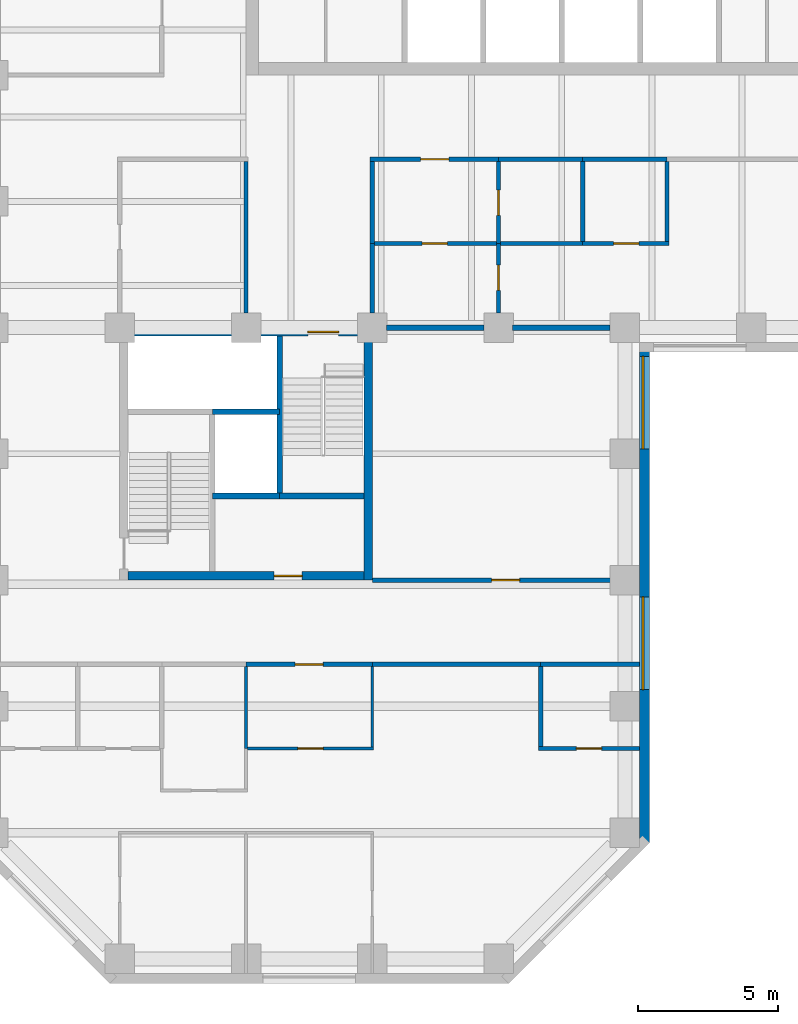
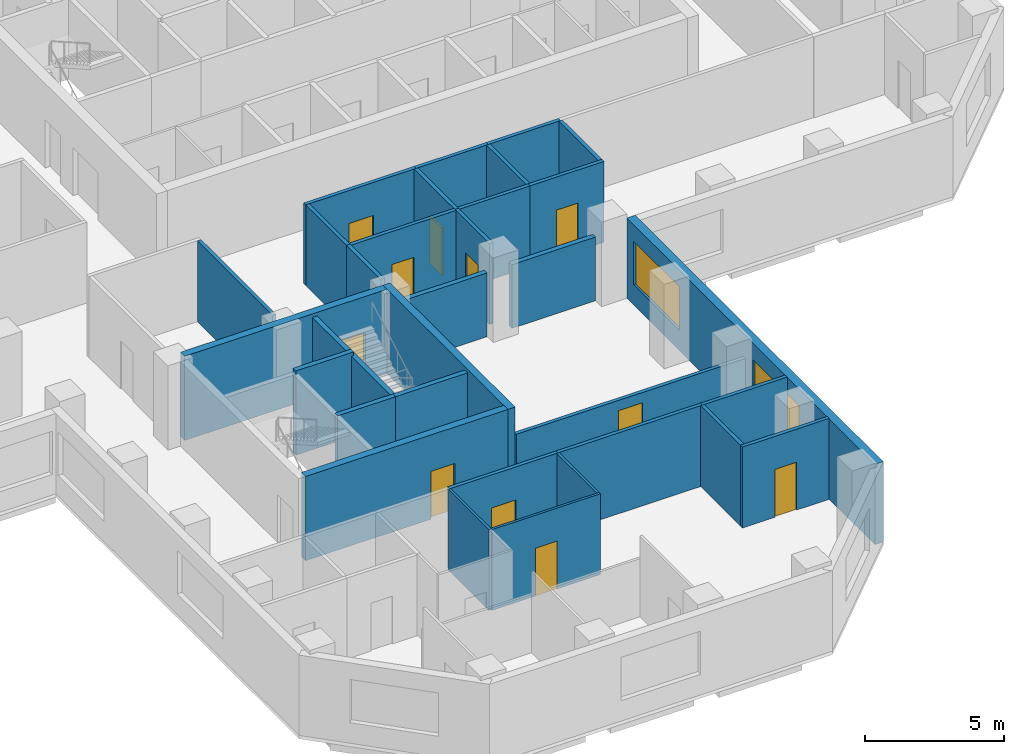
# One storey, part 4 of 10: 32 walls, 11 doors, 2 windows, 13 openings.
"""IFC4 building model written with IfcOpenShell, lengths in metres."""

from ifc_helpers import new_model, si_unit, direction, frame, frame_2d, origin, place, context, subcontext, project, spatial, rectangle, extrude, material, layer, layer_set, constituent, constituent_set, type_object, element, fill, save


model = new_model("IFC4")

# Units and contexts
model_context = context("Model", 3, precision=1e-05, world=origin(), true_north=direction((0.0, 1.0)))
body_context = subcontext(model_context, "Body", "Model", "MODEL_VIEW")
ifc_project = project(units=[si_unit("LENGTHUNIT", "METRE"), si_unit("AREAUNIT", "SQUARE_METRE"), si_unit("VOLUMEUNIT", "CUBIC_METRE"), si_unit("PLANEANGLEUNIT", "RADIAN"), si_unit("MASSUNIT", "GRAM", prefix="KILO")], contexts=[model_context])

# Site, building, storey
site_placement = place(None, origin())
site = spatial("IfcSite", under=ifc_project, at=site_placement, CompositionType="ELEMENT")
building_placement = place(site_placement, origin())
building = spatial("IfcBuilding", under=site, at=building_placement, Name="Quoin Convention Tower", CompositionType="ELEMENT")
storey_placement = place(building_placement, frame((0.0, 0.0, 90.0)))
storey = spatial("IfcBuildingStorey", under=building, at=storey_placement, Name="L23", CompositionType="ELEMENT", Elevation=90.0)

# Wall, opening, door
ifc_material_1 = material(Name="Plasterboard")
ifc_layer_1 = layer(ifc_material_1, 0.012451171875, Name="Finish")
ifc_material_2 = material(Name="Steel stud framing", Category="steel")
ifc_layer_2 = layer(ifc_material_2, 0.125, Name="Structure")
ifc_layer_3 = layer(ifc_material_1, 0.012451171875, Name="Finish")
ifc_layer_set_1 = layer_set([ifc_layer_1, ifc_layer_2, ifc_layer_3], Name="Steel stud framing")
wall_type_1 = type_object("IfcWallType", Name="Acoustic partition 150", PredefinedType="PARTITIONING", material=ifc_layer_set_1)
wall_1_placement = place(storey_placement, frame((49.574951171875, 43.5, 0.0), z_axis=(0.0, 0.0, 1.0), x_axis=(1.0, 0.0, 0.0)))
wall_1 = element("IfcWall", 1, at=wall_1_placement, inside=storey, type_object=wall_type_1, Name="pw-L23-017", PredefinedType="PARTITIONING", context=body_context, shape_type="SweptSolid", body=[
    extrude(rectangle(XDim=4.35009765625, YDim=0.14990234375, at=frame_2d((2.175048828125, 0.0))), origin(), (0.0, 0.0, 1.0), 3.550048828125),
])
opening_1_placement = place(wall_1_placement, frame((1.699951171875, 0.0, 0.0)))
opening_1 = element("IfcOpeningElement", 2, at=opening_1_placement, cuts=wall_1, Name="Opening DOL2-08", PredefinedType="OPENING", context=body_context, shape_type="SweptSolid", body=[
    extrude(rectangle(XDim=0.89990234375, YDim=2.10009765625, at=frame_2d((0.449951171875, 1.050048828125))), frame((0.0, 0.0849609375, 0.0), z_axis=(0.0, -1.0, 0.0), x_axis=(1.0, 0.0, 0.0)), (0.0, 0.0, 1.0), 0.169921875),
])
ifc_material_3 = material(Name="Steel door leaf", Category="steel")
door_type_1 = type_object("IfcDoorType", Name="Office door 900 x 2100", OperationType="SINGLE_SWING_RIGHT", PredefinedType="DOOR", material=ifc_material_3)
door_1_placement = place(opening_1_placement, frame((0.89990234375, 0.0, 0.0), z_axis=(0.0, 0.0, 1.0), x_axis=(-1.0, 0.0, 0.0)))
door_1 = element("IfcDoor", 3, at=door_1_placement, inside=storey, type_object=door_type_1, Name="dr-L23-22", OperationType="SINGLE_SWING_LEFT", OverallHeight=2.10009765625, OverallWidth=0.89990234375, PredefinedType="DOOR", context=body_context, shape_type="SweptSolid", body=[
    extrude(rectangle(XDim=0.89990234375, YDim=2.10009765625, at=frame_2d((0.449951171875, 1.050048828125))), frame((0.0, 0.02490234375, 0.0), z_axis=(0.0, -1.0, 0.0), x_axis=(1.0, 0.0, 0.0)), (0.0, 0.0, 1.0), 0.050048828125),
])
fill(opening_1, door_1)

wall_2_placement = place(storey_placement, frame((54.0, 41.02490234375, 0.0), z_axis=(0.0, 0.0, 1.0), x_axis=(0.0, 1.0, 0.0)))
wall_2 = element("IfcWall", 4, at=wall_2_placement, inside=storey, type_object=wall_type_1, Name="pw-L23-071", PredefinedType="PARTITIONING", context=body_context, shape_type="SweptSolid", body=[
    extrude(rectangle(XDim=2.47509765625, YDim=0.14990234375, at=frame_2d((1.237548828125, 0.0))), origin(), (0.0, 0.0, 1.0), 3.550048828125),
])
opening_2_placement = place(wall_2_placement, frame((0.800048828125, 0.0, 0.0)))
opening_2 = element("IfcOpeningElement", 5, at=opening_2_placement, cuts=wall_2, Name="Opening DOL2-22", PredefinedType="OPENING", context=body_context, shape_type="SweptSolid", body=[
    extrude(rectangle(XDim=0.89990234375, YDim=2.10009765625, at=frame_2d((0.449951171875, 1.050048828125))), frame((0.0, 0.0849609375, 0.0), z_axis=(0.0, -1.0, 0.0), x_axis=(1.0, 0.0, 0.0)), (0.0, 0.0, 1.0), 0.169921875),
])
door_2_placement = place(opening_2_placement, frame((0.89990234375, 0.0, 0.0), z_axis=(0.0, 0.0, 1.0), x_axis=(-1.0, 0.0, 0.0)))
door_2 = element("IfcDoor", 6, at=door_2_placement, inside=storey, type_object=door_type_1, Name="dr-L23-24", OperationType="SINGLE_SWING_LEFT", OverallHeight=2.10009765625, OverallWidth=0.89990234375, PredefinedType="DOOR", context=body_context, shape_type="SweptSolid", body=[
    extrude(rectangle(XDim=0.89990234375, YDim=2.10009765625, at=frame_2d((0.449951171875, 1.050048828125))), frame((0.0, 0.02490234375, 0.0), z_axis=(0.0, -1.0, 0.0), x_axis=(1.0, 0.0, 0.0)), (0.0, 0.0, 1.0), 0.050048828125),
])
fill(opening_2, door_2)

# Wall, openings, windows
ifc_material_4 = material(Name="Brick masonry", Category="masonry")
ifc_layer_4 = layer(ifc_material_4, 0.35009765625)
ifc_layer_set_2 = layer_set([ifc_layer_4], Name="Brick masonry")
wall_type_2 = type_object("IfcWallType", Name="Brick facade wall", PredefinedType="STANDARD", material=ifc_layer_set_2)
wall_3_placement = place(storey_placement, frame((59.199951171875, 22.1376953125, 0.0), z_axis=(0.0, 0.0, 1.0), x_axis=(0.0, 1.0, 0.0)))
wall_3 = element("IfcWall", 7, at=wall_3_placement, inside=storey, type_object=wall_type_2, Name="fw-L23-58500_22500", PredefinedType="STANDARD", context=body_context, shape_type="SweptSolid", body=[
    extrude(rectangle(XDim=17.83740234375, YDim=0.35009765625, at=frame_2d((8.918701171875, 0.0))), origin(), (0.0, 0.0, 1.0), 3.52490234375),
])
opening_3_placement = place(wall_3_placement, frame((5.46240234375, 0.0, 0.89990234375)))
opening_3 = element("IfcOpeningElement", 8, at=opening_3_placement, cuts=wall_3, Name="Opening W-02", PredefinedType="OPENING", context=body_context, shape_type="SweptSolid", body=[
    extrude(rectangle(XDim=3.300048828125, YDim=1.89990234375, at=frame_2d((1.64990234375, 0.949951171875))), frame((0.0, 0.18505859375, 0.0), z_axis=(0.0, -1.0, 0.0), x_axis=(1.0, 0.0, 0.0)), (0.0, 0.0, 1.0), 0.3701171875),
])
opening_4_placement = place(wall_3_placement, frame((14.037353515625, 0.0, 0.89990234375)))
opening_4 = element("IfcOpeningElement", 9, at=opening_4_placement, cuts=wall_3, Name="Opening W-02", PredefinedType="OPENING", context=body_context, shape_type="SweptSolid", body=[
    extrude(rectangle(XDim=3.300048828125, YDim=1.89990234375, at=frame_2d((1.64990234375, 0.949951171875))), frame((0.0, 0.18505859375, 0.0), z_axis=(0.0, -1.0, 0.0), x_axis=(1.0, 0.0, 0.0)), (0.0, 0.0, 1.0), 0.3701171875),
])
ifc_material_5 = material(Name="Aluminium", Category="aluminium")
ifc_constituent_1 = constituent(ifc_material_5, Name="Frame")
ifc_material_6 = material(Name="Insulated glass", Category="glass")
ifc_constituent_2 = constituent(ifc_material_6, Name="Glazing")
ifc_constituent_set = constituent_set(constituents=[ifc_constituent_1, ifc_constituent_2], Name="Aluminium")
window_type = type_object("IfcWindowType", Name="Office window", PartitioningType="DOUBLE_PANEL_VERTICAL", PredefinedType="WINDOW", material=ifc_constituent_set)
window_1_placement = place(opening_3_placement, origin())
window_1 = element("IfcWindow", 10, at=window_1_placement, inside=storey, type_object=window_type, Name="win-L23-59200_29250", OverallHeight=1.89990234375, OverallWidth=3.300048828125, PartitioningType="SINGLE_PANEL", PredefinedType="WINDOW", context=body_context, shape_type="SweptSolid", body=[
    extrude(rectangle(XDim=3.300048828125, YDim=1.89990234375, at=frame_2d((1.64990234375, 0.949951171875))), frame((0.0, 0.0849609375, 0.0), z_axis=(0.0, -1.0, 0.0), x_axis=(1.0, 0.0, 0.0)), (0.0, 0.0, 1.0), 0.06005859375),
])
fill(opening_3, window_1)
window_2_placement = place(opening_4_placement, origin())
window_2 = element("IfcWindow", 11, at=window_2_placement, inside=storey, type_object=window_type, Name="win-L23-59200_38250", OverallHeight=1.89990234375, OverallWidth=3.300048828125, PartitioningType="SINGLE_PANEL", PredefinedType="WINDOW", context=body_context, shape_type="SweptSolid", body=[
    extrude(rectangle(XDim=3.300048828125, YDim=1.89990234375, at=frame_2d((1.64990234375, 0.949951171875))), frame((0.0, 0.0849609375, 0.0), z_axis=(0.0, -1.0, 0.0), x_axis=(1.0, 0.0, 0.0)), (0.0, 0.0, 1.0), 0.06005859375),
])
fill(opening_4, window_2)

# Walls
ifc_material_7 = material(Name="Concrete C50", Category="concrete")
ifc_layer_5 = layer(ifc_material_7, 0.199951171875)
ifc_layer_set_3 = layer_set([ifc_layer_5], Name="Concrete C50")
wall_type_3 = type_object("IfcWallType", Name="Core shaft wall", PredefinedType="SOLIDWALL", material=ifc_layer_set_3)
wall_4_placement = place(storey_placement, frame((43.800048828125, 34.5, 0.0), z_axis=(0.0, 0.0, 1.0), x_axis=(1.0, 0.0, 0.0)))
element("IfcWall", 12, at=wall_4_placement, inside=storey, type_object=wall_type_3, Name="cr-P3-L23-h3000_3300", PredefinedType="SOLIDWALL", context=body_context, shape_type="SweptSolid", body=[
    extrude(rectangle(XDim=2.39990234375, YDim=0.199951171875, at=frame_2d((1.199951171875, 0.0))), origin(), (0.0, 0.0, 1.0), 3.550048828125),
])
wall_5_placement = place(storey_placement, frame((46.199951171875, 34.5, 0.0), z_axis=(0.0, 0.0, 1.0), x_axis=(1.0, 0.0, 0.0)))
element("IfcWall", 13, at=wall_5_placement, inside=storey, type_object=wall_type_3, Name="cr-P3-L23-h3000_5700", PredefinedType="SOLIDWALL", context=body_context, shape_type="SweptSolid", body=[
    extrude(rectangle(XDim=3.0, YDim=0.199951171875, at=frame_2d((1.5, 0.0))), origin(), (0.0, 0.0, 1.0), 3.550048828125),
])
wall_6_placement = place(storey_placement, frame((46.199951171875, 34.5, 0.0), z_axis=(0.0, 0.0, 1.0), x_axis=(0.0, 1.0, 0.0)))
element("IfcWall", 14, at=wall_6_placement, inside=storey, type_object=wall_type_3, Name="cr-P3-L23-v5700_3000", PredefinedType="SOLIDWALL", context=body_context, shape_type="SweptSolid", body=[
    extrude(rectangle(XDim=5.699951171875, YDim=0.199951171875, at=frame_2d((2.85009765625, 0.0))), origin(), (0.0, 0.0, 1.0), 3.550048828125),
])
ifc_layer_6 = layer(ifc_material_7, 0.199951171875)
ifc_layer_set_4 = layer_set([ifc_layer_6], Name="Concrete C50")
wall_type_4 = type_object("IfcWallType", Name="Core shaft wall to the floor level over", PredefinedType="SOLIDWALL", material=ifc_layer_set_4)
wall_7_placement = place(storey_placement, frame((43.800048828125, 37.5, 0.0), z_axis=(0.0, 0.0, 1.0), x_axis=(1.0, 0.0, 0.0)))
element("IfcWall", 15, at=wall_7_placement, inside=storey, type_object=wall_type_4, Name="cr-P3-L23-h6000_3300", PredefinedType="SOLIDWALL", context=body_context, shape_type="SweptSolid", body=[
    extrude(rectangle(XDim=2.39990234375, YDim=0.199951171875, at=frame_2d((1.199951171875, 0.0))), origin(), (0.0, 0.0, 1.0), 3.699951171875),
])

# Wall, opening, door
ifc_layer_7 = layer(ifc_material_1, 0.012451171875, Name="Finish")
ifc_layer_8 = layer(ifc_material_2, 0.125, Name="Structure")
ifc_layer_9 = layer(ifc_material_1, 0.012451171875, Name="Finish")
ifc_layer_set_5 = layer_set([ifc_layer_7, ifc_layer_8, ifc_layer_9], Name="Steel stud framing")
wall_type_5 = type_object("IfcWallType", Name="Corridor wall 150", PredefinedType="PARTITIONING", material=ifc_layer_set_5)
wall_8_placement = place(storey_placement, frame((45.0, 28.5, 0.0), z_axis=(0.0, 0.0, 1.0), x_axis=(1.0, 0.0, 0.0)))
wall_8 = element("IfcWall", 16, at=wall_8_placement, inside=storey, type_object=wall_type_5, Name="pw-L23-011", PredefinedType="PARTITIONING", context=body_context, shape_type="SweptSolid", body=[
    extrude(rectangle(XDim=4.5, YDim=0.14990234375, at=frame_2d((2.25, 0.0))), origin(), (0.0, 0.0, 1.0), 3.550048828125),
])
opening_5_placement = place(wall_8_placement, frame((1.75, 0.0, 0.0)))
opening_5 = element("IfcOpeningElement", 17, at=opening_5_placement, cuts=wall_8, Name="Opening DOL2-06", PredefinedType="OPENING", context=body_context, shape_type="SweptSolid", body=[
    extrude(rectangle(XDim=1.0, YDim=2.10009765625, at=frame_2d((0.5, 1.050048828125))), frame((0.0, 0.0849609375, 0.0), z_axis=(0.0, -1.0, 0.0), x_axis=(1.0, 0.0, 0.0)), (0.0, 0.0, 1.0), 0.169921875),
])
door_type_2 = type_object("IfcDoorType", Name="Tenancy entrance door 1000 x 2100", OperationType="DOUBLE_DOOR_SINGLE_SWING", PredefinedType="DOOR", material=ifc_material_3)
door_3_placement = place(opening_5_placement, origin())
door_3 = element("IfcDoor", 18, at=door_3_placement, inside=storey, type_object=door_type_2, Name="dr-L23-12", OperationType="DOUBLE_DOOR_SINGLE_SWING", OverallHeight=2.10009765625, OverallWidth=1.0, PredefinedType="DOOR", context=body_context, shape_type="SweptSolid", body=[
    extrude(rectangle(XDim=1.0, YDim=2.10009765625, at=frame_2d((0.5, 1.050048828125))), frame((0.0, 0.02490234375, 0.0), z_axis=(0.0, -1.0, 0.0), x_axis=(1.0, 0.0, 0.0)), (0.0, 0.0, 1.0), 0.050048828125),
])
fill(opening_5, door_3)

# Walls
wall_9_placement = place(storey_placement, frame((49.5, 28.5, 0.0), z_axis=(0.0, 0.0, 1.0), x_axis=(1.0, 0.0, 0.0)))
element("IfcWall", 19, at=wall_9_placement, inside=storey, type_object=wall_type_5, Name="pw-L23-012", PredefinedType="PARTITIONING", context=body_context, shape_type="SweptSolid", body=[
    extrude(rectangle(XDim=6.0, YDim=0.14990234375, at=frame_2d((3.0, 0.0))), origin(), (0.0, 0.0, 1.0), 3.550048828125),
])
wall_10_placement = place(storey_placement, frame((55.5, 28.5, 0.0), z_axis=(0.0, 0.0, 1.0), x_axis=(1.0, 0.0, 0.0)))
element("IfcWall", 20, at=wall_10_placement, inside=storey, type_object=wall_type_5, Name="pw-L23-013", PredefinedType="PARTITIONING", context=body_context, shape_type="SweptSolid", body=[
    extrude(rectangle(XDim=3.52490234375, YDim=0.14990234375, at=frame_2d((1.762451171875, 0.0))), origin(), (0.0, 0.0, 1.0), 3.550048828125),
])

# Wall, opening, door
wall_11_placement = place(storey_placement, frame((49.425048828125, 46.5, 0.0), z_axis=(0.0, 0.0, 1.0), x_axis=(1.0, 0.0, 0.0)))
wall_11 = element("IfcWall", 21, at=wall_11_placement, inside=storey, type_object=wall_type_5, Name="pw-L23-025", PredefinedType="PARTITIONING", context=body_context, shape_type="SweptSolid", body=[
    extrude(rectangle(XDim=4.574951171875, YDim=0.14990234375, at=frame_2d((2.28759765625, 0.0))), origin(), (0.0, 0.0, 1.0), 3.550048828125),
])
opening_6_placement = place(wall_11_placement, frame((1.800048828125, 0.0, 0.0)))
opening_6 = element("IfcOpeningElement", 22, at=opening_6_placement, cuts=wall_11, Name="Opening DOL2-10", PredefinedType="OPENING", context=body_context, shape_type="SweptSolid", body=[
    extrude(rectangle(XDim=1.0, YDim=2.10009765625, at=frame_2d((0.5, 1.050048828125))), frame((0.0, 0.0849609375, 0.0), z_axis=(0.0, -1.0, 0.0), x_axis=(1.0, 0.0, 0.0)), (0.0, 0.0, 1.0), 0.169921875),
])
door_4_placement = place(opening_6_placement, origin())
door_4 = element("IfcDoor", 23, at=door_4_placement, inside=storey, type_object=door_type_2, Name="dr-L23-21", OperationType="DOUBLE_DOOR_SINGLE_SWING", OverallHeight=2.10009765625, OverallWidth=1.0, PredefinedType="DOOR", context=body_context, shape_type="SweptSolid", body=[
    extrude(rectangle(XDim=1.0, YDim=2.10009765625, at=frame_2d((0.5, 1.050048828125))), frame((0.0, 0.02490234375, 0.0), z_axis=(0.0, -1.0, 0.0), x_axis=(1.0, 0.0, 0.0)), (0.0, 0.0, 1.0), 0.050048828125),
])
fill(opening_6, door_4)

# Walls
for number, where, z_axis, x_axis, name in (
    (24, (54.0, 46.5, 0.0), (0.0, 0.0, 1.0), (1.0, 0.0, 0.0), "pw-L23-026"),
    (25, (57.0, 46.5, 0.0), (0.0, 0.0, 1.0), (1.0, 0.0, 0.0), "pw-L23-027"),
):
    element("IfcWall", number, at=place(storey_placement, frame(where, z_axis=z_axis, x_axis=x_axis)), inside=storey, type_object=wall_type_5, Name=name, PredefinedType="PARTITIONING", context=body_context, shape_type="SweptSolid", body=[
        extrude(rectangle(XDim=3.0, YDim=0.14990234375, at=frame_2d((1.5, 0.0))), origin(), (0.0, 0.0, 1.0), 3.550048828125),
    ])
wall_12_placement = place(storey_placement, frame((45.0, 41.02490234375, 0.0), z_axis=(0.0, 0.0, 1.0), x_axis=(0.0, 1.0, 0.0)))
element("IfcWall", 26, at=wall_12_placement, inside=storey, type_object=wall_type_5, Name="pw-L23-069", PredefinedType="PARTITIONING", context=body_context, shape_type="SweptSolid", body=[
    extrude(rectangle(XDim=5.400146484375, YDim=0.14990234375, at=frame_2d((2.7001953125, 0.0))), origin(), (0.0, 0.0, 1.0), 3.550048828125),
])
wall_13_placement = place(storey_placement, frame((49.5, 41.02490234375, 0.0), z_axis=(0.0, 0.0, 1.0), x_axis=(0.0, 1.0, 0.0)))
element("IfcWall", 27, at=wall_13_placement, inside=storey, type_object=wall_type_5, Name="pw-L23-070", PredefinedType="PARTITIONING", context=body_context, shape_type="SweptSolid", body=[
    extrude(rectangle(XDim=2.47509765625, YDim=0.14990234375, at=frame_2d((1.237548828125, 0.0))), origin(), (0.0, 0.0, 1.0), 3.550048828125),
])
wall_14_placement = place(storey_placement, frame((49.5, 43.5, 0.0), z_axis=(0.0, 0.0, 1.0), x_axis=(0.0, 1.0, 0.0)))
element("IfcWall", 28, at=wall_14_placement, inside=storey, type_object=wall_type_5, Name="pw-L23-072", PredefinedType="PARTITIONING", context=body_context, shape_type="SweptSolid", body=[
    extrude(rectangle(XDim=2.925048828125, YDim=0.14990234375, at=frame_2d((1.46240234375, 0.0))), origin(), (0.0, 0.0, 1.0), 3.550048828125),
])

# Wall, opening, door
ifc_layer_10 = layer(ifc_material_1, 0.012451171875, Name="Finish")
ifc_layer_11 = layer(ifc_material_2, 0.125, Name="Structure")
ifc_layer_12 = layer(ifc_material_1, 0.012451171875, Name="Finish")
ifc_layer_set_6 = layer_set([ifc_layer_10, ifc_layer_11, ifc_layer_12], Name="Steel stud framing")
wall_type_6 = type_object("IfcWallType", Name="Corridor wall 150 under beam 1000", PredefinedType="PARTITIONING", material=ifc_layer_set_6)
wall_15_placement = place(storey_placement, frame((49.5, 31.5, 0.0), z_axis=(0.0, 0.0, 1.0), x_axis=(1.0, 0.0, 0.0)))
wall_15 = element("IfcWall", 29, at=wall_15_placement, inside=storey, type_object=wall_type_6, Name="pw-L23-014", PredefinedType="PARTITIONING", context=body_context, shape_type="SweptSolid", body=[
    extrude(rectangle(XDim=9.52490234375, YDim=0.14990234375, at=frame_2d((4.762451171875, 0.0))), origin(), (0.0, 0.0, 1.0), 2.550048828125),
])
opening_7_placement = place(wall_15_placement, frame((4.25, 0.0, 0.0)))
opening_7 = element("IfcOpeningElement", 30, at=opening_7_placement, cuts=wall_15, Name="Opening DOL2-07", PredefinedType="OPENING", context=body_context, shape_type="SweptSolid", body=[
    extrude(rectangle(XDim=1.0, YDim=2.10009765625, at=frame_2d((0.5, 1.050048828125))), frame((0.0, 0.0849609375, 0.0), z_axis=(0.0, -1.0, 0.0), x_axis=(1.0, 0.0, 0.0)), (0.0, 0.0, 1.0), 0.169921875),
])
door_5_placement = place(opening_7_placement, origin())
door_5 = element("IfcDoor", 31, at=door_5_placement, inside=storey, type_object=door_type_2, Name="dr-L23-20", OperationType="DOUBLE_DOOR_SINGLE_SWING", OverallHeight=2.10009765625, OverallWidth=1.0, PredefinedType="DOOR", context=body_context, shape_type="SweptSolid", body=[
    extrude(rectangle(XDim=1.0, YDim=2.10009765625, at=frame_2d((0.5, 1.050048828125))), frame((0.0, 0.02490234375, 0.0), z_axis=(0.0, -1.0, 0.0), x_axis=(1.0, 0.0, 0.0)), (0.0, 0.0, 1.0), 0.050048828125),
])
fill(opening_7, door_5)

ifc_material_8 = material(Name="Concrete C65", Category="concrete")
ifc_layer_13 = layer(ifc_material_8, 0.300048828125)
ifc_layer_set_7 = layer_set([ifc_layer_13], Name="Concrete C65")
wall_type_7 = type_object("IfcWallType", Name="RC CORE WALL 300 C65", PredefinedType="SHEAR", material=ifc_layer_set_7)
wall_16_placement = place(storey_placement, frame((40.800048828125, 31.64990234375, 0.0), z_axis=(0.0, 0.0, 1.0), x_axis=(1.0, 0.0, 0.0)))
wall_16 = element("IfcWall", 32, at=wall_16_placement, inside=storey, type_object=wall_type_7, Name="cwl-P3-L23-S", PredefinedType="SHEAR", context=body_context, shape_type="SweptSolid", body=[
    extrude(rectangle(XDim=8.39990234375, YDim=0.300048828125, at=frame_2d((4.199951171875, 0.0))), origin(), (0.0, 0.0, 1.0), 3.699951171875),
])
opening_8_placement = place(wall_16_placement, frame((5.199951171875, 0.0, 0.0)))
opening_8 = element("IfcOpeningElement", 33, at=opening_8_placement, cuts=wall_16, Name="Opening DCV2-42", PredefinedType="OPENING", context=body_context, shape_type="SweptSolid", body=[
    extrude(rectangle(XDim=1.0, YDim=2.10009765625, at=frame_2d((0.5, 1.050048828125))), frame((0.0, 0.159912109375, 0.0), z_axis=(0.0, -1.0, 0.0), x_axis=(1.0, 0.0, 0.0)), (0.0, 0.0, 1.0), 0.320068359375),
])
door_type_3 = type_object("IfcDoorType", Name="Service door 1000 x 2100", OperationType="SINGLE_SWING_LEFT", PredefinedType="DOOR", material=ifc_material_3)
door_6_placement = place(opening_8_placement, origin())
door_6 = element("IfcDoor", 34, at=door_6_placement, inside=storey, type_object=door_type_3, Name="cd-P3-L23-R2-S", OperationType="SINGLE_SWING_LEFT", OverallHeight=2.10009765625, OverallWidth=1.0, PredefinedType="DOOR", context=body_context, shape_type="SweptSolid", body=[
    extrude(rectangle(XDim=1.0, YDim=2.10009765625, at=frame_2d((0.5, 1.050048828125))), frame((0.0, 0.02490234375, 0.0), z_axis=(0.0, -1.0, 0.0), x_axis=(1.0, 0.0, 0.0)), (0.0, 0.0, 1.0), 0.050048828125),
])
fill(opening_8, door_6)

wall_17_placement = place(storey_placement, frame((40.800048828125, 40.35009765625, 0.0), z_axis=(0.0, 0.0, 1.0), x_axis=(1.0, 0.0, 0.0)))
wall_17 = element("IfcWall", 35, at=wall_17_placement, inside=storey, type_object=wall_type_7, Name="cwl-P3-L23-N", PredefinedType="SHEAR", context=body_context, shape_type="SweptSolid", body=[
    extrude(rectangle(XDim=8.39990234375, YDim=0.300048828125, at=frame_2d((4.199951171875, 0.0))), origin(), (0.0, 0.0, 1.0), 3.699951171875),
])
opening_9_placement = place(wall_17_placement, frame((6.39990234375, 0.0, 0.0)))
opening_9 = element("IfcOpeningElement", 36, at=opening_9_placement, cuts=wall_17, Name="Opening SD6", PredefinedType="OPENING", context=body_context, shape_type="SweptSolid", body=[
    extrude(rectangle(XDim=1.10009765625, YDim=2.10009765625, at=frame_2d((0.550048828125, 1.050048828125))), frame((0.0, 0.159912109375, 0.0), z_axis=(0.0, -1.0, 0.0), x_axis=(1.0, 0.0, 0.0)), (0.0, 0.0, 1.0), 0.320068359375),
])
door_type_4 = type_object("IfcDoorType", Name="Stair door 1100 x 2100", OperationType="SINGLE_SWING_RIGHT", PredefinedType="DOOR", material=ifc_material_3)
door_7_placement = place(opening_9_placement, frame((1.10009765625, 0.0, 0.0), z_axis=(0.0, 0.0, 1.0), x_axis=(-1.0, 0.0, 0.0)))
door_7 = element("IfcDoor", 37, at=door_7_placement, inside=storey, type_object=door_type_4, Name="cd-P3-L23-SB-N", OperationType="SINGLE_SWING_LEFT", OverallHeight=2.10009765625, OverallWidth=1.10009765625, PredefinedType="DOOR", context=body_context, shape_type="SweptSolid", body=[
    extrude(rectangle(XDim=1.10009765625, YDim=2.10009765625, at=frame_2d((0.550048828125, 1.050048828125))), frame((0.0, 0.02490234375, 0.0), z_axis=(0.0, -1.0, 0.0), x_axis=(1.0, 0.0, 0.0)), (0.0, 0.0, 1.0), 0.050048828125),
])
fill(opening_9, door_7)

# Wall
wall_18_placement = place(storey_placement, frame((49.35009765625, 31.5, 0.0), z_axis=(0.0, 0.0, 1.0), x_axis=(0.0, 1.0, 0.0)))
element("IfcWall", 38, at=wall_18_placement, inside=storey, type_object=wall_type_7, Name="cwl-P3-L23-E", PredefinedType="SHEAR", context=body_context, shape_type="SweptSolid", body=[
    extrude(rectangle(XDim=9.0, YDim=0.300048828125, at=frame_2d((4.5, 0.0))), origin(), (0.0, 0.0, 1.0), 3.699951171875),
])

# Wall, opening, door
ifc_layer_14 = layer(ifc_material_1, 0.012451171875, Name="Finish")
ifc_layer_15 = layer(ifc_material_2, 0.074951171875, Name="Structure")
ifc_layer_16 = layer(ifc_material_1, 0.012451171875, Name="Finish")
ifc_layer_set_8 = layer_set([ifc_layer_14, ifc_layer_15, ifc_layer_16], Name="Steel stud framing")
wall_type_8 = type_object("IfcWallType", Name="Stud partition 100", PredefinedType="PARTITIONING", material=ifc_layer_set_8)
wall_19_placement = place(storey_placement, frame((45.050048828125, 25.5, 0.0), z_axis=(0.0, 0.0, 1.0), x_axis=(1.0, 0.0, 0.0)))
wall_19 = element("IfcWall", 39, at=wall_19_placement, inside=storey, type_object=wall_type_8, Name="pw-L23-006", PredefinedType="PARTITIONING", context=body_context, shape_type="SweptSolid", body=[
    extrude(rectangle(XDim=4.5, YDim=0.10009765625, at=frame_2d((2.25, 0.0))), origin(), (0.0, 0.0, 1.0), 3.550048828125),
])
opening_10_placement = place(wall_19_placement, frame((1.800048828125, 0.0, 0.0)))
opening_10 = element("IfcOpeningElement", 40, at=opening_10_placement, cuts=wall_19, Name="Opening DOL2-04", PredefinedType="OPENING", context=body_context, shape_type="SweptSolid", body=[
    extrude(rectangle(XDim=0.89990234375, YDim=2.10009765625, at=frame_2d((0.449951171875, 1.050048828125))), frame((0.0, 0.06005859375, 0.0), z_axis=(0.0, -1.0, 0.0), x_axis=(1.0, 0.0, 0.0)), (0.0, 0.0, 1.0), 0.1201171875),
])
door_8_placement = place(opening_10_placement, frame((0.89990234375, 0.0, 0.0), z_axis=(0.0, 0.0, 1.0), x_axis=(-1.0, 0.0, 0.0)))
door_8 = element("IfcDoor", 41, at=door_8_placement, inside=storey, type_object=door_type_1, Name="dr-L23-13", OperationType="SINGLE_SWING_LEFT", OverallHeight=2.10009765625, OverallWidth=0.89990234375, PredefinedType="DOOR", context=body_context, shape_type="SweptSolid", body=[
    extrude(rectangle(XDim=0.89990234375, YDim=2.10009765625, at=frame_2d((0.449951171875, 1.050048828125))), frame((0.0, 0.02490234375, 0.0), z_axis=(0.0, -1.0, 0.0), x_axis=(1.0, 0.0, 0.0)), (0.0, 0.0, 1.0), 0.050048828125),
])
fill(opening_10, door_8)

# Walls
wall_20_placement = place(storey_placement, frame((45.0, 25.5, 0.0), z_axis=(0.0, 0.0, 1.0), x_axis=(0.0, 1.0, 0.0)))
element("IfcWall", 42, at=wall_20_placement, inside=storey, type_object=wall_type_8, Name="pw-L23-063", PredefinedType="PARTITIONING", context=body_context, shape_type="SweptSolid", body=[
    extrude(rectangle(XDim=2.925048828125, YDim=0.10009765625, at=frame_2d((1.46240234375, 0.0))), origin(), (0.0, 0.0, 1.0), 3.550048828125),
])
wall_21_placement = place(storey_placement, frame((49.5, 25.550048828125, 0.0), z_axis=(0.0, 0.0, 1.0), x_axis=(0.0, 1.0, 0.0)))
element("IfcWall", 43, at=wall_21_placement, inside=storey, type_object=wall_type_8, Name="pw-L23-064", PredefinedType="PARTITIONING", context=body_context, shape_type="SweptSolid", body=[
    extrude(rectangle(XDim=2.875, YDim=0.10009765625, at=frame_2d((1.4375, 0.0))), origin(), (0.0, 0.0, 1.0), 3.550048828125),
])
ifc_layer_17 = layer(ifc_material_1, 0.012451171875, Name="Finish")
ifc_layer_18 = layer(ifc_material_2, 0.175048828125, Name="Structure")
ifc_layer_19 = layer(ifc_material_1, 0.012451171875, Name="Finish")
ifc_layer_set_9 = layer_set([ifc_layer_17, ifc_layer_18, ifc_layer_19], Name="Steel stud framing")
wall_type_9 = type_object("IfcWallType", Name="Tenancy demising wall 200 under beam 750", PredefinedType="PARTITIONING", material=ifc_layer_set_9)
wall_22_placement = place(storey_placement, frame((50.014892578125, 40.5, 0.0), z_axis=(0.0, 0.0, 1.0), x_axis=(1.0, 0.0, 0.0)))
element("IfcWall", 44, at=wall_22_placement, inside=storey, type_object=wall_type_9, Name="pw-L23-015", PredefinedType="PARTITIONING", context=body_context, shape_type="SweptSolid", body=[
    extrude(rectangle(XDim=3.460205078125, YDim=0.199951171875, at=frame_2d((1.72998046875, 0.0))), origin(), (0.0, 0.0, 1.0), 2.800048828125),
])
wall_23_placement = place(storey_placement, frame((54.4951171875, 40.5, 0.0), z_axis=(0.0, 0.0, 1.0), x_axis=(1.0, 0.0, 0.0)))
element("IfcWall", 45, at=wall_23_placement, inside=storey, type_object=wall_type_9, Name="pw-L23-016", PredefinedType="PARTITIONING", context=body_context, shape_type="SweptSolid", body=[
    extrude(rectangle(XDim=3.47998046875, YDim=0.199951171875, at=frame_2d((1.739990234375, 0.0))), origin(), (0.0, 0.0, 1.0), 2.800048828125),
])

# Wall, opening, door
ifc_layer_20 = layer(ifc_material_1, 0.012451171875, Name="Finish")
ifc_layer_21 = layer(ifc_material_2, 0.125, Name="Structure")
ifc_layer_22 = layer(ifc_material_1, 0.012451171875, Name="Finish")
ifc_layer_set_10 = layer_set([ifc_layer_20, ifc_layer_21, ifc_layer_22], Name="Steel stud framing")
wall_type_10 = type_object("IfcWallType", Name="Wet area partition 150", PredefinedType="PARTITIONING", material=ifc_layer_set_10)
wall_24_placement = place(storey_placement, frame((55.425048828125, 25.5, 0.0), z_axis=(0.0, 0.0, 1.0), x_axis=(1.0, 0.0, 0.0)))
wall_24 = element("IfcWall", 46, at=wall_24_placement, inside=storey, type_object=wall_type_10, Name="pw-L23-007", PredefinedType="PARTITIONING", context=body_context, shape_type="SweptSolid", body=[
    extrude(rectangle(XDim=3.599853515625, YDim=0.14990234375, at=frame_2d((1.7998046875, 0.0))), origin(), (0.0, 0.0, 1.0), 3.550048828125),
])
opening_11_placement = place(wall_24_placement, frame((1.35009765625, 0.0, 0.0)))
opening_11 = element("IfcOpeningElement", 47, at=opening_11_placement, cuts=wall_24, Name="Opening DOL2-05", PredefinedType="OPENING", context=body_context, shape_type="SweptSolid", body=[
    extrude(rectangle(XDim=0.89990234375, YDim=2.10009765625, at=frame_2d((0.449951171875, 1.050048828125))), frame((0.0, 0.0849609375, 0.0), z_axis=(0.0, -1.0, 0.0), x_axis=(1.0, 0.0, 0.0)), (0.0, 0.0, 1.0), 0.169921875),
])
door_9_placement = place(opening_11_placement, frame((0.89990234375, 0.0, 0.0), z_axis=(0.0, 0.0, 1.0), x_axis=(-1.0, 0.0, 0.0)))
door_9 = element("IfcDoor", 48, at=door_9_placement, inside=storey, type_object=door_type_1, Name="dr-L23-17", OperationType="SINGLE_SWING_LEFT", OverallHeight=2.10009765625, OverallWidth=0.89990234375, PredefinedType="DOOR", context=body_context, shape_type="SweptSolid", body=[
    extrude(rectangle(XDim=0.89990234375, YDim=2.10009765625, at=frame_2d((0.449951171875, 1.050048828125))), frame((0.0, 0.02490234375, 0.0), z_axis=(0.0, -1.0, 0.0), x_axis=(1.0, 0.0, 0.0)), (0.0, 0.0, 1.0), 0.050048828125),
])
fill(opening_11, door_9)

# Wall
wall_25_placement = place(storey_placement, frame((54.074951171875, 43.5, 0.0), z_axis=(0.0, 0.0, 1.0), x_axis=(1.0, 0.0, 0.0)))
element("IfcWall", 49, at=wall_25_placement, inside=storey, type_object=wall_type_10, Name="pw-L23-018", PredefinedType="PARTITIONING", context=body_context, shape_type="SweptSolid", body=[
    extrude(rectangle(XDim=2.925048828125, YDim=0.14990234375, at=frame_2d((1.46240234375, 0.0))), origin(), (0.0, 0.0, 1.0), 3.550048828125),
])

# Wall, opening, door
wall_26_placement = place(storey_placement, frame((57.0, 43.5, 0.0), z_axis=(0.0, 0.0, 1.0), x_axis=(1.0, 0.0, 0.0)))
wall_26 = element("IfcWall", 50, at=wall_26_placement, inside=storey, type_object=wall_type_10, Name="pw-L23-019", PredefinedType="PARTITIONING", context=body_context, shape_type="SweptSolid", body=[
    extrude(rectangle(XDim=3.074951171875, YDim=0.14990234375, at=frame_2d((1.53759765625, 0.0))), origin(), (0.0, 0.0, 1.0), 3.550048828125),
])
opening_12_placement = place(wall_26_placement, frame((1.10009765625, 0.0, 0.0)))
opening_12 = element("IfcOpeningElement", 51, at=opening_12_placement, cuts=wall_26, Name="Opening DOL2-09", PredefinedType="OPENING", context=body_context, shape_type="SweptSolid", body=[
    extrude(rectangle(XDim=0.89990234375, YDim=2.10009765625, at=frame_2d((0.449951171875, 1.050048828125))), frame((0.0, 0.0849609375, 0.0), z_axis=(0.0, -1.0, 0.0), x_axis=(1.0, 0.0, 0.0)), (0.0, 0.0, 1.0), 0.169921875),
])
door_10_placement = place(opening_12_placement, frame((0.89990234375, 0.0, 0.0), z_axis=(0.0, 0.0, 1.0), x_axis=(-1.0, 0.0, 0.0)))
door_10 = element("IfcDoor", 52, at=door_10_placement, inside=storey, type_object=door_type_1, Name="dr-L23-25", OperationType="SINGLE_SWING_LEFT", OverallHeight=2.10009765625, OverallWidth=0.89990234375, PredefinedType="DOOR", context=body_context, shape_type="SweptSolid", body=[
    extrude(rectangle(XDim=0.89990234375, YDim=2.10009765625, at=frame_2d((0.449951171875, 1.050048828125))), frame((0.0, 0.02490234375, 0.0), z_axis=(0.0, -1.0, 0.0), x_axis=(1.0, 0.0, 0.0)), (0.0, 0.0, 1.0), 0.050048828125),
])
fill(opening_12, door_10)

# Wall
wall_27_placement = place(storey_placement, frame((55.5, 25.574951171875, 0.0), z_axis=(0.0, 0.0, 1.0), x_axis=(0.0, 1.0, 0.0)))
element("IfcWall", 53, at=wall_27_placement, inside=storey, type_object=wall_type_10, Name="pw-L23-066", PredefinedType="PARTITIONING", context=body_context, shape_type="SweptSolid", body=[
    extrude(rectangle(XDim=2.85009765625, YDim=0.14990234375, at=frame_2d((1.425048828125, 0.0))), origin(), (0.0, 0.0, 1.0), 3.550048828125),
])

# Wall, opening, door
wall_28_placement = place(storey_placement, frame((54.0, 43.5, 0.0), z_axis=(0.0, 0.0, 1.0), x_axis=(0.0, 1.0, 0.0)))
wall_28 = element("IfcWall", 54, at=wall_28_placement, inside=storey, type_object=wall_type_10, Name="pw-L23-073", PredefinedType="PARTITIONING", context=body_context, shape_type="SweptSolid", body=[
    extrude(rectangle(XDim=2.925048828125, YDim=0.14990234375, at=frame_2d((1.46240234375, 0.0))), origin(), (0.0, 0.0, 1.0), 3.550048828125),
])
opening_13_placement = place(wall_28_placement, frame((1.0, 0.0, 0.0)))
opening_13 = element("IfcOpeningElement", 55, at=opening_13_placement, cuts=wall_28, Name="Opening DOL2-23", PredefinedType="OPENING", context=body_context, shape_type="SweptSolid", body=[
    extrude(rectangle(XDim=0.89990234375, YDim=2.10009765625, at=frame_2d((0.449951171875, 1.050048828125))), frame((0.0, 0.0849609375, 0.0), z_axis=(0.0, -1.0, 0.0), x_axis=(1.0, 0.0, 0.0)), (0.0, 0.0, 1.0), 0.169921875),
])
door_11_placement = place(opening_13_placement, frame((0.89990234375, 0.0, 0.0), z_axis=(0.0, 0.0, 1.0), x_axis=(-1.0, 0.0, 0.0)))
door_11 = element("IfcDoor", 56, at=door_11_placement, inside=storey, type_object=door_type_1, Name="dr-L23-23", OperationType="SINGLE_SWING_RIGHT", OverallHeight=2.10009765625, OverallWidth=0.89990234375, PredefinedType="DOOR", context=body_context, shape_type="SweptSolid", body=[
    extrude(rectangle(XDim=0.89990234375, YDim=2.10009765625, at=frame_2d((0.449951171875, 1.050048828125))), frame((0.0, 0.02490234375, 0.0), z_axis=(0.0, -1.0, 0.0), x_axis=(1.0, 0.0, 0.0)), (0.0, 0.0, 1.0), 0.050048828125),
])
fill(opening_13, door_11)

# Walls
for number, where, z_axis, x_axis, name in (
    (57, (57.0, 43.574951171875, 0.0), (0.0, 0.0, 1.0), (0.0, 1.0, 0.0), "pw-L23-074"),
    (58, (60.0, 43.574951171875, 0.0), (0.0, 0.0, 1.0), (0.0, 1.0, 0.0), "pw-L23-075"),
):
    element("IfcWall", number, at=place(storey_placement, frame(where, z_axis=z_axis, x_axis=x_axis)), inside=storey, type_object=wall_type_10, Name=name, PredefinedType="PARTITIONING", context=body_context, shape_type="SweptSolid", body=[
        extrude(rectangle(XDim=2.85009765625, YDim=0.14990234375, at=frame_2d((1.425048828125, 0.0))), origin(), (0.0, 0.0, 1.0), 3.550048828125),
    ])

save(model, "model.ifc")
